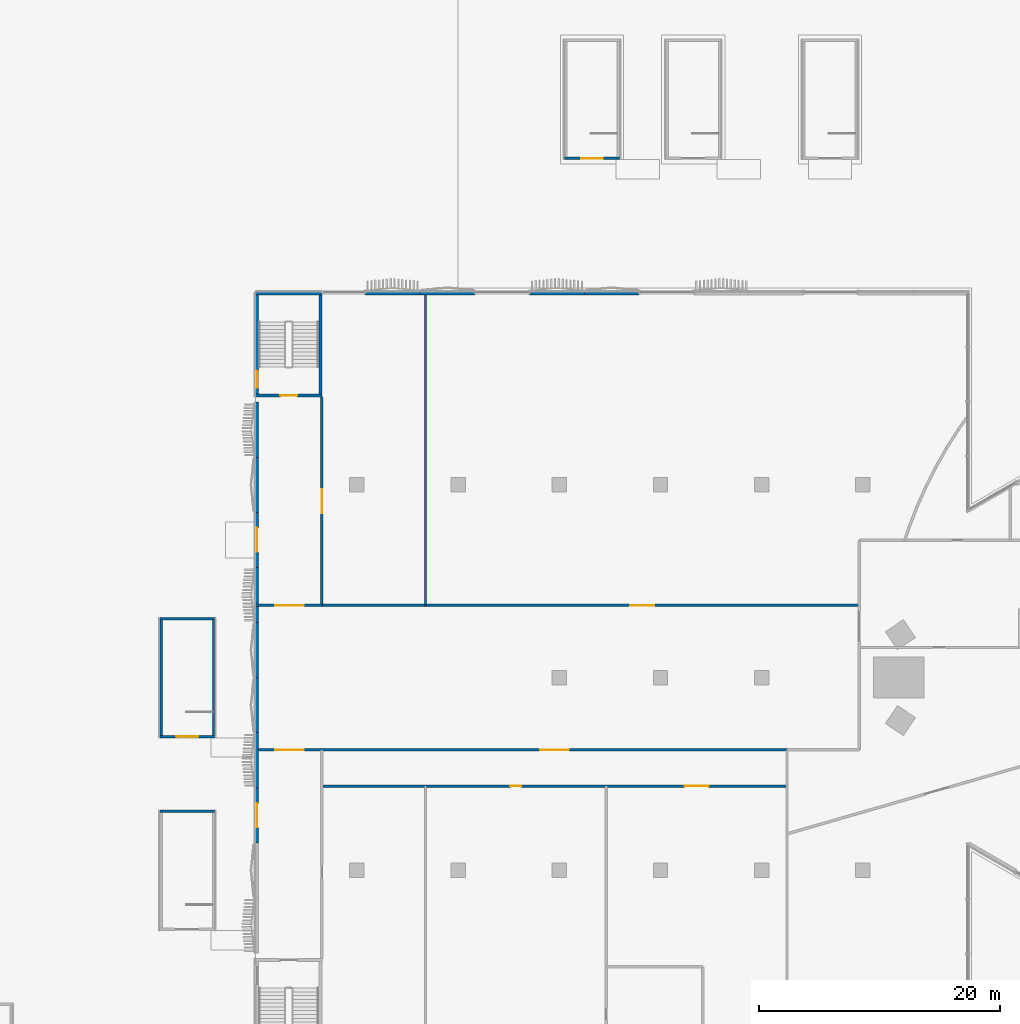
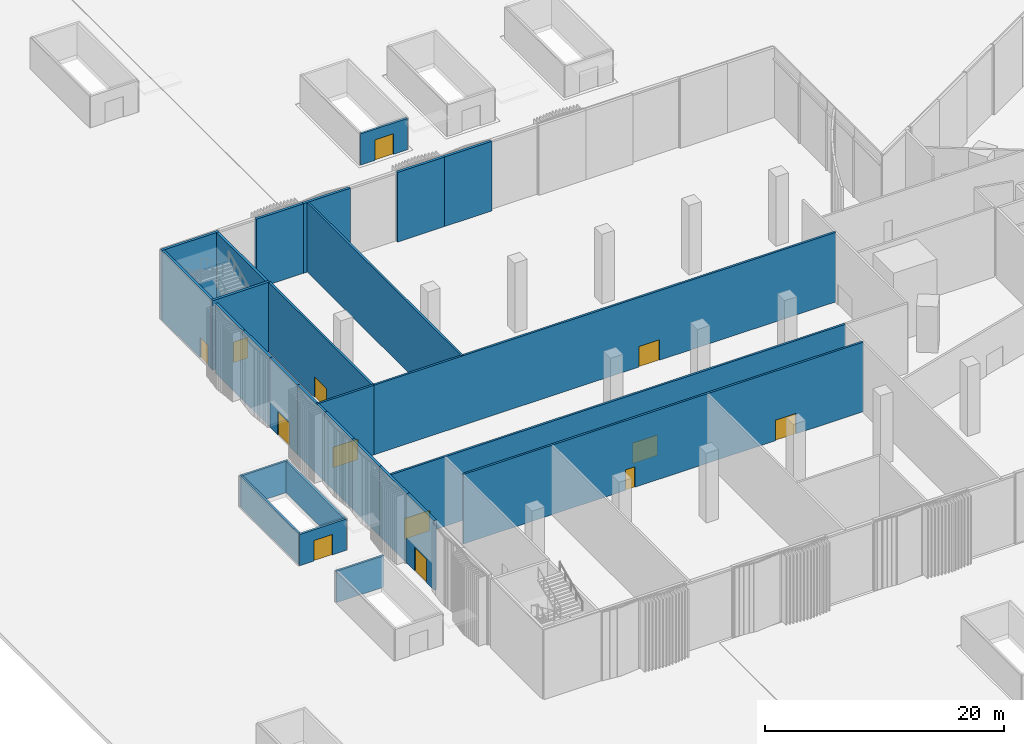
# One storey, part 16 of 41: 28 walls, 13 doors, 13 openings.
"""IFC4 building model written with IfcOpenShell, lengths in metres."""

from ifc_helpers import new_model, si_unit, direction, frame, frame_2d, origin, place, context, subcontext, project, spatial, rectangle, extrude, material, layer, layer_set, type_object, element, fill, save


model = new_model("IFC4")

# Units and contexts
model_context = context("Model", 3, precision=1e-05, world=origin(), true_north=direction((0.0, 1.0)))
body_context = subcontext(model_context, "Body", "Model", "MODEL_VIEW")
ifc_project = project(units=[si_unit("LENGTHUNIT", "METRE"), si_unit("AREAUNIT", "SQUARE_METRE"), si_unit("VOLUMEUNIT", "CUBIC_METRE"), si_unit("PLANEANGLEUNIT", "RADIAN"), si_unit("MASSUNIT", "GRAM", prefix="KILO")], contexts=[model_context])

# Site, building, storey
site_placement = place(None, origin())
site = spatial("IfcSite", under=ifc_project, at=site_placement, CompositionType="ELEMENT")
building_placement = place(site_placement, origin())
building = spatial("IfcBuilding", under=site, at=building_placement, Name="Tamra Quay Hotel Tower", CompositionType="ELEMENT")
storey_placement = place(building_placement, origin())
storey = spatial("IfcBuildingStorey", under=building, at=storey_placement, Name="L00", CompositionType="ELEMENT", Elevation=0.0)

# Wall, opening, door
ifc_material_1 = material(Name="Concrete M70", Category="concrete")
ifc_layer_1 = layer(ifc_material_1, 0.199951171875)
ifc_layer_set_1 = layer_set([ifc_layer_1], Name="Concrete M70 core wall 200")
wall_type_1 = type_object("IfcWallType", Name="Concrete M70 core wall 200", PredefinedType="SHEAR", material=ifc_layer_set_1)
wall_1_placement = place(storey_placement, frame((-89.10009765625, 23.425048828125, 0.0), z_axis=(0.0, 0.0, 1.0), x_axis=(1.0, 0.0, 0.0)))
wall_1 = element("IfcWall", 1, at=wall_1_placement, inside=storey, type_object=wall_type_1, Name="CW2", PredefinedType="SHEAR", context=body_context, shape_type="SweptSolid", body=[
    extrude(rectangle(XDim=5.5, YDim=0.25, at=frame_2d((2.75, 0.0))), origin(), (0.0, 0.0, 1.0), 7.10009765625),
])
opening_1_placement = place(wall_1_placement, frame((2.050048828125, 0.0, 0.0)))
opening_1 = element("IfcOpeningElement", 2, at=opening_1_placement, cuts=wall_1, Name="Opening FD2", PredefinedType="OPENING", context=body_context, shape_type="SweptSolid", body=[
    extrude(rectangle(XDim=1.39990234375, YDim=2.10009765625, at=frame_2d((0.699951171875, 1.050048828125))), frame((0.0, 0.135009765625, 0.0), z_axis=(0.0, -1.0, 0.0), x_axis=(1.0, 0.0, 0.0)), (0.0, 0.0, 1.0), 0.27001953125),
])
ifc_material_2 = material(Name="Core door FD2 1400x2100 LH")
door_type_1 = type_object("IfcDoorType", Name="Core door FD2 1400x2100 LH", OperationType="NOTDEFINED", PredefinedType="DOOR", material=ifc_material_2)
door_1_placement = place(opening_1_placement, origin())
door_1 = element("IfcDoor", 3, at=door_1_placement, inside=storey, type_object=door_type_1, Name="FD2", OperationType="SINGLE_SWING_LEFT", OverallHeight=2.10009765625, OverallWidth=1.39990234375, PredefinedType="DOOR", context=body_context, shape_type="SweptSolid", body=[
    extrude(rectangle(XDim=1.39990234375, YDim=2.10009765625, at=frame_2d((0.699951171875, 1.050048828125))), frame((0.0, 0.02490234375, 0.0), z_axis=(0.0, -1.0, 0.0), x_axis=(1.0, 0.0, 0.0)), (0.0, 0.0, 1.0), 0.050048828125),
])
fill(opening_1, door_1)

# Wall
wall_2_placement = place(storey_placement, frame((-89.10009765625, 31.875, 0.0), z_axis=(0.0, 0.0, 1.0), x_axis=(1.0, 0.0, 0.0)))
element("IfcWall", 4, at=wall_2_placement, inside=storey, type_object=wall_type_1, Name="CW2", PredefinedType="SHEAR", context=body_context, shape_type="SweptSolid", body=[
    extrude(rectangle(XDim=5.5, YDim=0.25, at=frame_2d((2.75, 0.0))), origin(), (0.0, 0.0, 1.0), 7.10009765625),
])

# Wall, opening, door
wall_3_placement = place(storey_placement, frame((-88.97509765625, 23.550048828125, 0.0), z_axis=(0.0, 0.0, 1.0), x_axis=(0.0, 1.0, 0.0)))
wall_3 = element("IfcWall", 5, at=wall_3_placement, inside=storey, type_object=wall_type_1, Name="CW2", PredefinedType="SHEAR", context=body_context, shape_type="SweptSolid", body=[
    extrude(rectangle(XDim=8.199951171875, YDim=0.25, at=frame_2d((4.10009765625, 0.0))), origin(), (0.0, 0.0, 1.0), 7.10009765625),
])
opening_2_placement = place(wall_3_placement, frame((0.5, 0.0, 0.0)))
opening_2 = element("IfcOpeningElement", 6, at=opening_2_placement, cuts=wall_3, Name="Opening FD2", PredefinedType="OPENING", context=body_context, shape_type="SweptSolid", body=[
    extrude(rectangle(XDim=1.39990234375, YDim=2.10009765625, at=frame_2d((0.699951171875, 1.050048828125))), frame((0.0, 0.135009765625, 0.0), z_axis=(0.0, -1.0, 0.0), x_axis=(1.0, 0.0, 0.0)), (0.0, 0.0, 1.0), 0.27001953125),
])
ifc_material_3 = material(Name="Core door FD2 1400x2100 RH")
door_type_2 = type_object("IfcDoorType", Name="Core door FD2 1400x2100 RH", OperationType="NOTDEFINED", PredefinedType="DOOR", material=ifc_material_3)
door_2_placement = place(opening_2_placement, origin())
door_2 = element("IfcDoor", 7, at=door_2_placement, inside=storey, type_object=door_type_2, Name="FD2", OperationType="SINGLE_SWING_RIGHT", OverallHeight=2.10009765625, OverallWidth=1.39990234375, PredefinedType="DOOR", context=body_context, shape_type="SweptSolid", body=[
    extrude(rectangle(XDim=1.39990234375, YDim=2.10009765625, at=frame_2d((0.699951171875, 1.050048828125))), frame((0.0, 0.02490234375, 0.0), z_axis=(0.0, -1.0, 0.0), x_axis=(1.0, 0.0, 0.0)), (0.0, 0.0, 1.0), 0.050048828125),
])
fill(opening_2, door_2)

# Walls
wall_4_placement = place(storey_placement, frame((-83.72509765625, 23.550048828125, 0.0), z_axis=(0.0, 0.0, 1.0), x_axis=(0.0, 1.0, 0.0)))
element("IfcWall", 8, at=wall_4_placement, inside=storey, type_object=wall_type_1, Name="CW2", PredefinedType="SHEAR", context=body_context, shape_type="SweptSolid", body=[
    extrude(rectangle(XDim=8.199951171875, YDim=0.25, at=frame_2d((4.10009765625, 0.0))), origin(), (0.0, 0.0, 1.0), 7.10009765625),
])
ifc_layer_2 = layer(ifc_material_1, 0.199951171875)
ifc_layer_set_2 = layer_set([ifc_layer_2], Name="Concrete M70 stair enclosure wall 200")
wall_type_2 = type_object("IfcWallType", Name="Concrete M70 stair enclosure wall 200", PredefinedType="SOLIDWALL", material=ifc_layer_set_2)
wall_5_placement = place(storey_placement, frame((-97.050048828125, -11.10009765625, 0.0), z_axis=(0.0, 0.0, 1.0), x_axis=(1.0, 0.0, 0.0)))
element("IfcWall", 9, at=wall_5_placement, inside=storey, type_object=wall_type_2, Name="SEW", PredefinedType="SOLIDWALL", context=body_context, shape_type="SweptSolid", body=[
    extrude(rectangle(XDim=4.550048828125, YDim=0.199951171875, at=frame_2d((2.27490234375, 0.0))), origin(), (0.0, 0.0, 1.0), 3.199951171875),
])
for number, where, z_axis, x_axis, name in (
    (10, (-96.949951171875, -4.800048828125, 0.0), (0.0, 0.0, 1.0), (0.0, 1.0, 0.0), "SEW"),
    (11, (-92.60009765625, -4.800048828125, 0.0), (0.0, 0.0, 1.0), (0.0, 1.0, 0.0), "SEW"),
):
    element("IfcWall", number, at=place(storey_placement, frame(where, z_axis=z_axis, x_axis=x_axis)), inside=storey, type_object=wall_type_2, Name=name, PredefinedType="SOLIDWALL", context=body_context, shape_type="SweptSolid", body=[
        extrude(rectangle(XDim=9.60009765625, YDim=0.199951171875, at=frame_2d((4.800048828125, 0.0))), origin(), (0.0, 0.0, 1.0), 3.199951171875),
    ])

# Wall, opening, door
wall_6_placement = place(storey_placement, frame((-92.5, -4.89990234375, 0.0), z_axis=(0.0, 0.0, 1.0), x_axis=(-1.0, 0.0, 0.0)))
wall_6 = element("IfcWall", 12, at=wall_6_placement, inside=storey, type_object=wall_type_2, Name="SEW", PredefinedType="SOLIDWALL", context=body_context, shape_type="SweptSolid", body=[
    extrude(rectangle(XDim=4.550048828125, YDim=0.199951171875, at=frame_2d((2.27490234375, 0.0))), origin(), (0.0, 0.0, 1.0), 3.199951171875),
])
opening_3_placement = place(wall_6_placement, frame((1.375, 0.0, 0.0)))
opening_3 = element("IfcOpeningElement", 13, at=opening_3_placement, cuts=wall_6, Name="Opening SD2", PredefinedType="OPENING", context=body_context, shape_type="SweptSolid", body=[
    extrude(rectangle(XDim=1.800048828125, YDim=2.10009765625, at=frame_2d((0.89990234375, 1.050048828125))), frame((0.0, 0.10986328125, 0.0), z_axis=(0.0, -1.0, 0.0), x_axis=(1.0, 0.0, 0.0)), (0.0, 0.0, 1.0), 0.219970703125),
])
ifc_material_4 = material(Name="Stair discharge door 1800 x 2100")
door_type_3 = type_object("IfcDoorType", Name="Stair discharge door 1800 x 2100", OperationType="DOUBLE_DOOR_SINGLE_SWING", PredefinedType="DOOR", material=ifc_material_4)
door_3_placement = place(opening_3_placement, origin())
door_3 = element("IfcDoor", 14, at=door_3_placement, inside=storey, type_object=door_type_3, Name="SD2", OperationType="DOUBLE_DOOR_SINGLE_SWING", OverallHeight=2.10009765625, OverallWidth=1.800048828125, PredefinedType="DOOR", context=body_context, shape_type="SweptSolid", body=[
    extrude(rectangle(XDim=1.800048828125, YDim=2.10009765625, at=frame_2d((0.89990234375, 1.050048828125))), frame((0.0, 0.02490234375, 0.0), z_axis=(0.0, -1.0, 0.0), x_axis=(1.0, 0.0, 0.0)), (0.0, 0.0, 1.0), 0.050048828125),
])
fill(opening_3, door_3)

# Wall
wall_7_placement = place(storey_placement, frame((-97.050048828125, 4.89990234375, 0.0), z_axis=(0.0, 0.0, 1.0), x_axis=(1.0, 0.0, 0.0)))
element("IfcWall", 15, at=wall_7_placement, inside=storey, type_object=wall_type_2, Name="SEW", PredefinedType="SOLIDWALL", context=body_context, shape_type="SweptSolid", body=[
    extrude(rectangle(XDim=4.550048828125, YDim=0.199951171875, at=frame_2d((2.27490234375, 0.0))), origin(), (0.0, 0.0, 1.0), 3.199951171875),
])

# Wall, opening, door
wall_8_placement = place(storey_placement, frame((-58.89990234375, 43.10009765625, 0.0), z_axis=(0.0, 0.0, 1.0), x_axis=(-1.0, 0.0, 0.0)))
wall_8 = element("IfcWall", 16, at=wall_8_placement, inside=storey, type_object=wall_type_2, Name="SEW", PredefinedType="SOLIDWALL", context=body_context, shape_type="SweptSolid", body=[
    extrude(rectangle(XDim=4.550048828125, YDim=0.199951171875, at=frame_2d((2.27490234375, 0.0))), origin(), (0.0, 0.0, 1.0), 3.199951171875),
])
opening_4_placement = place(wall_8_placement, frame((1.375, 0.0, 0.0)))
opening_4 = element("IfcOpeningElement", 17, at=opening_4_placement, cuts=wall_8, Name="Opening SD2", PredefinedType="OPENING", context=body_context, shape_type="SweptSolid", body=[
    extrude(rectangle(XDim=1.800048828125, YDim=2.10009765625, at=frame_2d((0.89990234375, 1.050048828125))), frame((0.0, 0.10986328125, 0.0), z_axis=(0.0, -1.0, 0.0), x_axis=(1.0, 0.0, 0.0)), (0.0, 0.0, 1.0), 0.219970703125),
])
door_4_placement = place(opening_4_placement, origin())
door_4 = element("IfcDoor", 18, at=door_4_placement, inside=storey, type_object=door_type_3, Name="SD2", OperationType="DOUBLE_DOOR_SINGLE_SWING", OverallHeight=2.10009765625, OverallWidth=1.800048828125, PredefinedType="DOOR", context=body_context, shape_type="SweptSolid", body=[
    extrude(rectangle(XDim=1.800048828125, YDim=2.10009765625, at=frame_2d((0.89990234375, 1.050048828125))), frame((0.0, 0.02490234375, 0.0), z_axis=(0.0, -1.0, 0.0), x_axis=(1.0, 0.0, 0.0)), (0.0, 0.0, 1.0), 0.050048828125),
])
fill(opening_4, door_4)

# Walls
ifc_material_5 = material(Name="Blockwork masonry plastered", Category="masonry")
ifc_layer_3 = layer(ifc_material_5, 0.25)
ifc_layer_set_3 = layer_set([ifc_layer_3], Name="EXTERNAL WALL 250")
wall_type_3 = type_object("IfcWallType", Name="EXTERNAL WALL 250", PredefinedType="SOLIDWALL", material=ifc_layer_set_3)
for number, where, z_axis, x_axis, name in (
    (19, (-61.822998046875, 31.875, 0.0), (0.0, 0.0, 1.0), (1.0, 0.0, 0.0), "EW1"),
    (20, (-66.369140625, 31.875, 0.0), (0.0, 0.0, 1.0), (1.0, 0.0, 0.0), "EW1"),
    (21, (-75.46142578125, 31.875, 0.0), (0.0, 0.0, 1.0), (1.0, 0.0, 0.0), "EW1"),
):
    element("IfcWall", number, at=place(storey_placement, frame(where, z_axis=z_axis, x_axis=x_axis)), inside=storey, type_object=wall_type_3, Name=name, PredefinedType="SOLIDWALL", context=body_context, shape_type="SweptSolid", body=[
        extrude(rectangle(XDim=4.546142578125, YDim=0.25, at=frame_2d((2.27294921875, 0.0))), origin(), (0.0, 0.0, 1.0), 7.10009765625),
    ])
wall_9_placement = place(storey_placement, frame((-80.0078125, 31.875, 0.0), z_axis=(0.0, 0.0, 1.0), x_axis=(1.0, 0.0, 0.0)))
element("IfcWall", 22, at=wall_9_placement, inside=storey, type_object=wall_type_3, Name="EW1", PredefinedType="SOLIDWALL", context=body_context, shape_type="SweptSolid", body=[
    extrude(rectangle(XDim=4.54638671875, YDim=0.25, at=frame_2d((2.273193359375, 0.0))), origin(), (0.0, 0.0, 1.0), 7.10009765625),
])
wall_10_placement = place(storey_placement, frame((-88.97509765625, 18.28564453125, 0.0), z_axis=(0.0, 0.0, 1.0), x_axis=(0.0, 1.0, 0.0)))
element("IfcWall", 23, at=wall_10_placement, inside=storey, type_object=wall_type_3, Name="EW1", PredefinedType="SOLIDWALL", context=body_context, shape_type="SweptSolid", body=[
    extrude(rectangle(XDim=4.571533203125, YDim=0.25, at=frame_2d((2.28564453125, 0.0))), origin(), (0.0, 0.0, 1.0), 7.10009765625),
])
wall_11_placement = place(storey_placement, frame((-88.97509765625, 13.71435546875, 0.0), z_axis=(0.0, 0.0, 1.0), x_axis=(0.0, 1.0, 0.0)))
element("IfcWall", 24, at=wall_11_placement, inside=storey, type_object=wall_type_3, Name="EW1", PredefinedType="SOLIDWALL", context=body_context, shape_type="SweptSolid", body=[
    extrude(rectangle(XDim=4.5712890625, YDim=0.25, at=frame_2d((2.28564453125, 0.0))), origin(), (0.0, 0.0, 1.0), 7.10009765625),
])

# Wall, opening, door
wall_12_placement = place(storey_placement, frame((-88.97509765625, 9.142822265625, 0.0), z_axis=(0.0, 0.0, 1.0), x_axis=(0.0, 1.0, 0.0)))
wall_12 = element("IfcWall", 25, at=wall_12_placement, inside=storey, type_object=wall_type_3, Name="EW1", PredefinedType="SOLIDWALL", context=body_context, shape_type="SweptSolid", body=[
    extrude(rectangle(XDim=4.571533203125, YDim=0.25, at=frame_2d((2.28564453125, 0.0))), origin(), (0.0, 0.0, 1.0), 7.10009765625),
])
opening_5_placement = place(wall_12_placement, frame((1.28564453125, 0.0, 0.0)))
opening_5 = element("IfcOpeningElement", 26, at=opening_5_placement, cuts=wall_12, Name="Opening SD1", PredefinedType="OPENING", context=body_context, shape_type="SweptSolid", body=[
    extrude(rectangle(XDim=2.0, YDim=2.39990234375, at=frame_2d((1.0, 1.199951171875))), frame((0.0, 0.135009765625, 0.0), z_axis=(0.0, -1.0, 0.0), x_axis=(1.0, 0.0, 0.0)), (0.0, 0.0, 1.0), 0.27001953125),
])
ifc_material_6 = material(Name="Aluminium door set dark grey", Category="aluminium")
door_type_4 = type_object("IfcDoorType", Name="SERVICE COURT DOOR PAIR 2000X2400", OperationType="DOUBLE_DOOR_DOUBLE_SWING", PredefinedType="DOOR", material=ifc_material_6)
door_5_placement = place(opening_5_placement, origin())
door_5 = element("IfcDoor", 27, at=door_5_placement, inside=storey, type_object=door_type_4, Name="SD1", OperationType="DOUBLE_DOOR_DOUBLE_SWING", OverallHeight=2.39990234375, OverallWidth=2.0, PredefinedType="DOOR", context=body_context, shape_type="SweptSolid", body=[
    extrude(rectangle(XDim=2.0, YDim=2.39990234375, at=frame_2d((1.0, 1.199951171875))), frame((0.0, 0.02490234375, 0.0), z_axis=(0.0, -1.0, 0.0), x_axis=(1.0, 0.0, 0.0)), (0.0, 0.0, 1.0), 0.050048828125),
])
fill(opening_5, door_5)

# Walls
wall_13_placement = place(storey_placement, frame((-88.97509765625, 4.571533203125, 0.0), z_axis=(0.0, 0.0, 1.0), x_axis=(0.0, 1.0, 0.0)))
element("IfcWall", 28, at=wall_13_placement, inside=storey, type_object=wall_type_3, Name="EW1", PredefinedType="SOLIDWALL", context=body_context, shape_type="SweptSolid", body=[
    extrude(rectangle(XDim=4.5712890625, YDim=0.25, at=frame_2d((2.28564453125, 0.0))), origin(), (0.0, 0.0, 1.0), 7.10009765625),
])
for number, where, z_axis, x_axis, name in (
    (29, (-88.97509765625, 0.0, 0.0), (0.0, 0.0, 1.0), (0.0, 1.0, 0.0), "EW1"),
    (30, (-88.97509765625, -4.571533203125, 0.0), (0.0, 0.0, 1.0), (0.0, 1.0, 0.0), "EW1"),
):
    element("IfcWall", number, at=place(storey_placement, frame(where, z_axis=z_axis, x_axis=x_axis)), inside=storey, type_object=wall_type_3, Name=name, PredefinedType="SOLIDWALL", context=body_context, shape_type="SweptSolid", body=[
        extrude(rectangle(XDim=4.571533203125, YDim=0.25, at=frame_2d((2.28564453125, 0.0))), origin(), (0.0, 0.0, 1.0), 7.10009765625),
    ])
wall_14_placement = place(storey_placement, frame((-88.97509765625, -9.142822265625, 0.0), z_axis=(0.0, 0.0, 1.0), x_axis=(0.0, 1.0, 0.0)))
element("IfcWall", 31, at=wall_14_placement, inside=storey, type_object=wall_type_3, Name="EW1", PredefinedType="SOLIDWALL", context=body_context, shape_type="SweptSolid", body=[
    extrude(rectangle(XDim=4.5712890625, YDim=0.25, at=frame_2d((2.28564453125, 0.0))), origin(), (0.0, 0.0, 1.0), 7.10009765625),
])

# Wall, opening, door
wall_15_placement = place(storey_placement, frame((-88.97509765625, -13.71435546875, 0.0), z_axis=(0.0, 0.0, 1.0), x_axis=(0.0, 1.0, 0.0)))
wall_15 = element("IfcWall", 32, at=wall_15_placement, inside=storey, type_object=wall_type_3, Name="EW1", PredefinedType="SOLIDWALL", context=body_context, shape_type="SweptSolid", body=[
    extrude(rectangle(XDim=4.571533203125, YDim=0.25, at=frame_2d((2.28564453125, 0.0))), origin(), (0.0, 0.0, 1.0), 7.10009765625),
])
opening_6_placement = place(wall_15_placement, frame((1.28564453125, 0.0, 0.0)))
opening_6 = element("IfcOpeningElement", 33, at=opening_6_placement, cuts=wall_15, Name="Opening SD1", PredefinedType="OPENING", context=body_context, shape_type="SweptSolid", body=[
    extrude(rectangle(XDim=2.0, YDim=2.39990234375, at=frame_2d((1.0, 1.199951171875))), frame((0.0, 0.135009765625, 0.0), z_axis=(0.0, -1.0, 0.0), x_axis=(1.0, 0.0, 0.0)), (0.0, 0.0, 1.0), 0.27001953125),
])
door_6_placement = place(opening_6_placement, origin())
door_6 = element("IfcDoor", 34, at=door_6_placement, inside=storey, type_object=door_type_4, Name="SD1", OperationType="DOUBLE_DOOR_DOUBLE_SWING", OverallHeight=2.39990234375, OverallWidth=2.0, PredefinedType="DOOR", context=body_context, shape_type="SweptSolid", body=[
    extrude(rectangle(XDim=2.0, YDim=2.39990234375, at=frame_2d((1.0, 1.199951171875))), frame((0.0, 0.02490234375, 0.0), z_axis=(0.0, -1.0, 0.0), x_axis=(1.0, 0.0, 0.0)), (0.0, 0.0, 1.0), 0.050048828125),
])
fill(opening_6, door_6)

# Wall, openings, doors
ifc_material_7 = material(Name="Partition corridor wall")
ifc_layer_4 = layer(ifc_material_7, 0.199951171875)
ifc_layer_set_4 = layer_set([ifc_layer_4], Name="Partition corridor wall")
wall_type_4 = type_object("IfcWallType", Name="Partition corridor wall", PredefinedType="PARTITIONING", material=ifc_layer_set_4)
wall_16_placement = place(storey_placement, frame((-89.094970703125, -6.0, 0.0), z_axis=(0.0, 0.0, 1.0), x_axis=(1.0, 0.0, 0.0)))
wall_16 = element("IfcWall", 35, at=wall_16_placement, inside=storey, type_object=wall_type_4, Name="W-C", PredefinedType="PARTITIONING", context=body_context, shape_type="SweptSolid", body=[
    extrude(rectangle(XDim=44.10693359375, YDim=0.199951171875, at=frame_2d((22.053466796875, 0.0))), origin(), (0.0, 0.0, 1.0), 7.10009765625),
])
opening_7_placement = place(wall_16_placement, frame((23.595947265625, 0.0, 0.0)))
opening_7 = element("IfcOpeningElement", 36, at=opening_7_placement, cuts=wall_16, Name="Opening L00-D002", PredefinedType="OPENING", context=body_context, shape_type="SweptSolid", body=[
    extrude(rectangle(XDim=2.39990234375, YDim=2.10009765625, at=frame_2d((1.199951171875, 1.050048828125))), frame((0.0, 0.10986328125, 0.0), z_axis=(0.0, -1.0, 0.0), x_axis=(1.0, 0.0, 0.0)), (0.0, 0.0, 1.0), 0.219970703125),
])
opening_8_placement = place(wall_16_placement, frame((1.60107421875, 0.0, 0.0)))
opening_8 = element("IfcOpeningElement", 37, at=opening_8_placement, cuts=wall_16, Name="Opening L00-D005", PredefinedType="OPENING", context=body_context, shape_type="SweptSolid", body=[
    extrude(rectangle(XDim=2.39990234375, YDim=2.10009765625, at=frame_2d((1.199951171875, 1.050048828125))), frame((0.0, 0.10986328125, 0.0), z_axis=(0.0, -1.0, 0.0), x_axis=(1.0, 0.0, 0.0)), (0.0, 0.0, 1.0), 0.219970703125),
])
ifc_material_8 = material(Name="Door double leaf 2400x2100")
door_type_5 = type_object("IfcDoorType", Name="Door double leaf 2400x2100", OperationType="DOUBLE_DOOR_SINGLE_SWING", PredefinedType="DOOR", material=ifc_material_8)
door_7_placement = place(opening_7_placement, origin())
door_7 = element("IfcDoor", 38, at=door_7_placement, inside=storey, type_object=door_type_5, Name="L00-D002", OperationType="DOUBLE_DOOR_SINGLE_SWING", OverallHeight=2.10009765625, OverallWidth=2.39990234375, PredefinedType="DOOR", context=body_context, shape_type="SweptSolid", body=[
    extrude(rectangle(XDim=2.39990234375, YDim=2.10009765625, at=frame_2d((1.199951171875, 1.050048828125))), frame((0.0, 0.02490234375, 0.0), z_axis=(0.0, -1.0, 0.0), x_axis=(1.0, 0.0, 0.0)), (0.0, 0.0, 1.0), 0.050048828125),
])
fill(opening_7, door_7)
door_8_placement = place(opening_8_placement, frame((2.39990234375, 0.0, 0.0), z_axis=(0.0, 0.0, 1.0), x_axis=(-1.0, 0.0, 0.0)))
door_8 = element("IfcDoor", 39, at=door_8_placement, inside=storey, type_object=door_type_5, Name="L00-D005", OperationType="DOUBLE_DOOR_SINGLE_SWING", OverallHeight=2.10009765625, OverallWidth=2.39990234375, PredefinedType="DOOR", context=body_context, shape_type="SweptSolid", body=[
    extrude(rectangle(XDim=2.39990234375, YDim=2.10009765625, at=frame_2d((1.199951171875, 1.050048828125))), frame((0.0, 0.02490234375, 0.0), z_axis=(0.0, -1.0, 0.0), x_axis=(1.0, 0.0, 0.0)), (0.0, 0.0, 1.0), 0.050048828125),
])
fill(opening_8, door_8)

# Wall, opening, door
wall_17_placement = place(storey_placement, frame((-89.094970703125, 6.0, 0.0), z_axis=(0.0, 0.0, 1.0), x_axis=(1.0, 0.0, 0.0)))
wall_17 = element("IfcWall", 40, at=wall_17_placement, inside=storey, type_object=wall_type_4, Name="W-C", PredefinedType="PARTITIONING", context=body_context, shape_type="SweptSolid", body=[
    extrude(rectangle(XDim=5.507080078125, YDim=0.199951171875, at=frame_2d((2.75341796875, 0.0))), origin(), (0.0, 0.0, 1.0), 7.10009765625),
])
opening_9_placement = place(wall_17_placement, frame((1.60107421875, 0.0, 0.0)))
opening_9 = element("IfcOpeningElement", 41, at=opening_9_placement, cuts=wall_17, Name="Opening L00-D004", PredefinedType="OPENING", context=body_context, shape_type="SweptSolid", body=[
    extrude(rectangle(XDim=2.39990234375, YDim=2.10009765625, at=frame_2d((1.199951171875, 1.050048828125))), frame((0.0, 0.10986328125, 0.0), z_axis=(0.0, -1.0, 0.0), x_axis=(1.0, 0.0, 0.0)), (0.0, 0.0, 1.0), 0.219970703125),
])
door_9_placement = place(opening_9_placement, origin())
door_9 = element("IfcDoor", 42, at=door_9_placement, inside=storey, type_object=door_type_5, Name="L00-D004", OperationType="DOUBLE_DOOR_SINGLE_SWING", OverallHeight=2.10009765625, OverallWidth=2.39990234375, PredefinedType="DOOR", context=body_context, shape_type="SweptSolid", body=[
    extrude(rectangle(XDim=2.39990234375, YDim=2.10009765625, at=frame_2d((1.199951171875, 1.050048828125))), frame((0.0, 0.02490234375, 0.0), z_axis=(0.0, -1.0, 0.0), x_axis=(1.0, 0.0, 0.0)), (0.0, 0.0, 1.0), 0.050048828125),
])
fill(opening_9, door_9)

wall_18_placement = place(storey_placement, frame((-83.60009765625, 6.001953125, 0.0), z_axis=(0.0, 0.0, 1.0), x_axis=(0.0, 1.0, 0.0)))
wall_18 = element("IfcWall", 43, at=wall_18_placement, inside=storey, type_object=wall_type_4, Name="W-C", PredefinedType="PARTITIONING", context=body_context, shape_type="SweptSolid", body=[
    extrude(rectangle(XDim=17.298095703125, YDim=0.199951171875, at=frame_2d((8.64892578125, 0.0))), origin(), (0.0, 0.0, 1.0), 7.10009765625),
])
opening_10_placement = place(wall_18_placement, frame((7.64892578125, 0.0, 0.0)))
opening_10 = element("IfcOpeningElement", 44, at=opening_10_placement, cuts=wall_18, Name="Opening L00-D006", PredefinedType="OPENING", context=body_context, shape_type="SweptSolid", body=[
    extrude(rectangle(XDim=2.0, YDim=2.10009765625, at=frame_2d((1.0, 1.050048828125))), frame((0.0, 0.10986328125, 0.0), z_axis=(0.0, -1.0, 0.0), x_axis=(1.0, 0.0, 0.0)), (0.0, 0.0, 1.0), 0.219970703125),
])
ifc_material_9 = material(Name="Door double leaf 2000x2100")
door_type_6 = type_object("IfcDoorType", Name="Door double leaf 2000x2100", OperationType="DOUBLE_DOOR_SINGLE_SWING", PredefinedType="DOOR", material=ifc_material_9)
door_10_placement = place(opening_10_placement, frame((2.0, 0.0, 0.0), z_axis=(0.0, 0.0, 1.0), x_axis=(-1.0, 0.0, 0.0)))
door_10 = element("IfcDoor", 45, at=door_10_placement, inside=storey, type_object=door_type_6, Name="L00-D006", OperationType="DOUBLE_DOOR_SINGLE_SWING", OverallHeight=2.10009765625, OverallWidth=2.0, PredefinedType="DOOR", context=body_context, shape_type="SweptSolid", body=[
    extrude(rectangle(XDim=2.0, YDim=2.10009765625, at=frame_2d((1.0, 1.050048828125))), frame((0.0, 0.02490234375, 0.0), z_axis=(0.0, -1.0, 0.0), x_axis=(1.0, 0.0, 0.0)), (0.0, 0.0, 1.0), 0.050048828125),
])
fill(opening_10, door_10)

# Wall, openings, doors
wall_19_placement = place(storey_placement, frame((-83.597900390625, -9.0, 0.0), z_axis=(0.0, 0.0, 1.0), x_axis=(1.0, 0.0, 0.0)))
wall_19 = element("IfcWall", 46, at=wall_19_placement, inside=storey, type_object=wall_type_4, Name="W-C", PredefinedType="PARTITIONING", context=body_context, shape_type="SweptSolid", body=[
    extrude(rectangle(XDim=38.597900390625, YDim=0.199951171875, at=frame_2d((19.298828125, 0.0))), origin(), (0.0, 0.0, 1.0), 7.10009765625),
])
opening_11_placement = place(wall_19_placement, frame((15.64892578125, 0.0, 0.0)))
opening_11 = element("IfcOpeningElement", 47, at=opening_11_placement, cuts=wall_19, Name="Opening L00-D009", PredefinedType="OPENING", context=body_context, shape_type="SweptSolid", body=[
    extrude(rectangle(XDim=0.89990234375, YDim=2.10009765625, at=frame_2d((0.449951171875, 1.050048828125))), frame((0.0, 0.10986328125, 0.0), z_axis=(0.0, -1.0, 0.0), x_axis=(1.0, 0.0, 0.0)), (0.0, 0.0, 1.0), 0.219970703125),
])
opening_12_placement = place(wall_19_placement, frame((30.093017578125, 0.0, 0.0)))
opening_12 = element("IfcOpeningElement", 48, at=opening_12_placement, cuts=wall_19, Name="Opening L00-D011", PredefinedType="OPENING", context=body_context, shape_type="SweptSolid", body=[
    extrude(rectangle(XDim=2.0, YDim=2.10009765625, at=frame_2d((1.0, 1.050048828125))), frame((0.0, 0.10986328125, 0.0), z_axis=(0.0, -1.0, 0.0), x_axis=(1.0, 0.0, 0.0)), (0.0, 0.0, 1.0), 0.219970703125),
])
door_11_placement = place(opening_12_placement, frame((2.0, 0.0, 0.0), z_axis=(0.0, 0.0, 1.0), x_axis=(-1.0, 0.0, 0.0)))
door_11 = element("IfcDoor", 49, at=door_11_placement, inside=storey, type_object=door_type_6, Name="L00-D011", OperationType="DOUBLE_DOOR_SINGLE_SWING", OverallHeight=2.10009765625, OverallWidth=2.0, PredefinedType="DOOR", context=body_context, shape_type="SweptSolid", body=[
    extrude(rectangle(XDim=2.0, YDim=2.10009765625, at=frame_2d((1.0, 1.050048828125))), frame((0.0, 0.02490234375, 0.0), z_axis=(0.0, -1.0, 0.0), x_axis=(1.0, 0.0, 0.0)), (0.0, 0.0, 1.0), 0.050048828125),
])
fill(opening_12, door_11)
ifc_material_10 = material(Name="Door service room 900x2100")
door_type_7 = type_object("IfcDoorType", Name="Door service room 900x2100", OperationType="NOTDEFINED", PredefinedType="DOOR", material=ifc_material_10)
door_12_placement = place(opening_11_placement, frame((0.89990234375, 0.0, 0.0), z_axis=(0.0, 0.0, 1.0), x_axis=(-1.0, 0.0, 0.0)))
door_12 = element("IfcDoor", 50, at=door_12_placement, inside=storey, type_object=door_type_7, Name="L00-D009", OperationType="SINGLE_SWING_LEFT", OverallHeight=2.10009765625, OverallWidth=0.89990234375, PredefinedType="DOOR", context=body_context, shape_type="SweptSolid", body=[
    extrude(rectangle(XDim=0.89990234375, YDim=2.10009765625, at=frame_2d((0.449951171875, 1.050048828125))), frame((0.0, 0.02490234375, 0.0), z_axis=(0.0, -1.0, 0.0), x_axis=(1.0, 0.0, 0.0)), (0.0, 0.0, 1.0), 0.050048828125),
])
fill(opening_11, door_12)

# Wall, opening, door
ifc_material_11 = material(Name="Partition party wall")
ifc_layer_5 = layer(ifc_material_11, 0.199951171875)
ifc_layer_set_5 = layer_set([ifc_layer_5], Name="Partition party wall")
wall_type_5 = type_object("IfcWallType", Name="Partition party wall", PredefinedType="PARTITIONING", material=ifc_layer_set_5)
wall_20_placement = place(storey_placement, frame((-83.610107421875, 6.0, 0.0), z_axis=(0.0, 0.0, 1.0), x_axis=(1.0, 0.0, 0.0)))
wall_20 = element("IfcWall", 51, at=wall_20_placement, inside=storey, type_object=wall_type_5, Name="W-P", PredefinedType="PARTITIONING", context=body_context, shape_type="SweptSolid", body=[
    extrude(rectangle(XDim=44.610107421875, YDim=0.199951171875, at=frame_2d((22.30517578125, 0.0))), origin(), (0.0, 0.0, 1.0), 7.10009765625),
])
opening_13_placement = place(wall_20_placement, frame((25.60498046875, 0.0, 0.0)))
opening_13 = element("IfcOpeningElement", 52, at=opening_13_placement, cuts=wall_20, Name="Opening L00-D007", PredefinedType="OPENING", context=body_context, shape_type="SweptSolid", body=[
    extrude(rectangle(XDim=2.0, YDim=2.10009765625, at=frame_2d((1.0, 1.050048828125))), frame((0.0, 0.10986328125, 0.0), z_axis=(0.0, -1.0, 0.0), x_axis=(1.0, 0.0, 0.0)), (0.0, 0.0, 1.0), 0.219970703125),
])
door_13_placement = place(opening_13_placement, origin())
door_13 = element("IfcDoor", 53, at=door_13_placement, inside=storey, type_object=door_type_6, Name="L00-D007", OperationType="DOUBLE_DOOR_SINGLE_SWING", OverallHeight=2.10009765625, OverallWidth=2.0, PredefinedType="DOOR", context=body_context, shape_type="SweptSolid", body=[
    extrude(rectangle(XDim=2.0, YDim=2.10009765625, at=frame_2d((1.0, 1.050048828125))), frame((0.0, 0.02490234375, 0.0), z_axis=(0.0, -1.0, 0.0), x_axis=(1.0, 0.0, 0.0)), (0.0, 0.0, 1.0), 0.050048828125),
])
fill(opening_13, door_13)

# Wall
wall_21_placement = place(storey_placement, frame((-75.0, 6.001953125, 0.0), z_axis=(0.0, 0.0, 1.0), x_axis=(0.0, 1.0, 0.0)))
element("IfcWall", 54, at=wall_21_placement, inside=storey, type_object=wall_type_5, Name="W-P", PredefinedType="PARTITIONING", context=body_context, shape_type="SweptSolid", body=[
    extrude(rectangle(XDim=25.9931640625, YDim=0.199951171875, at=frame_2d((12.99658203125, 0.0))), origin(), (0.0, 0.0, 1.0), 7.10009765625),
])

save(model, "model.ifc")
